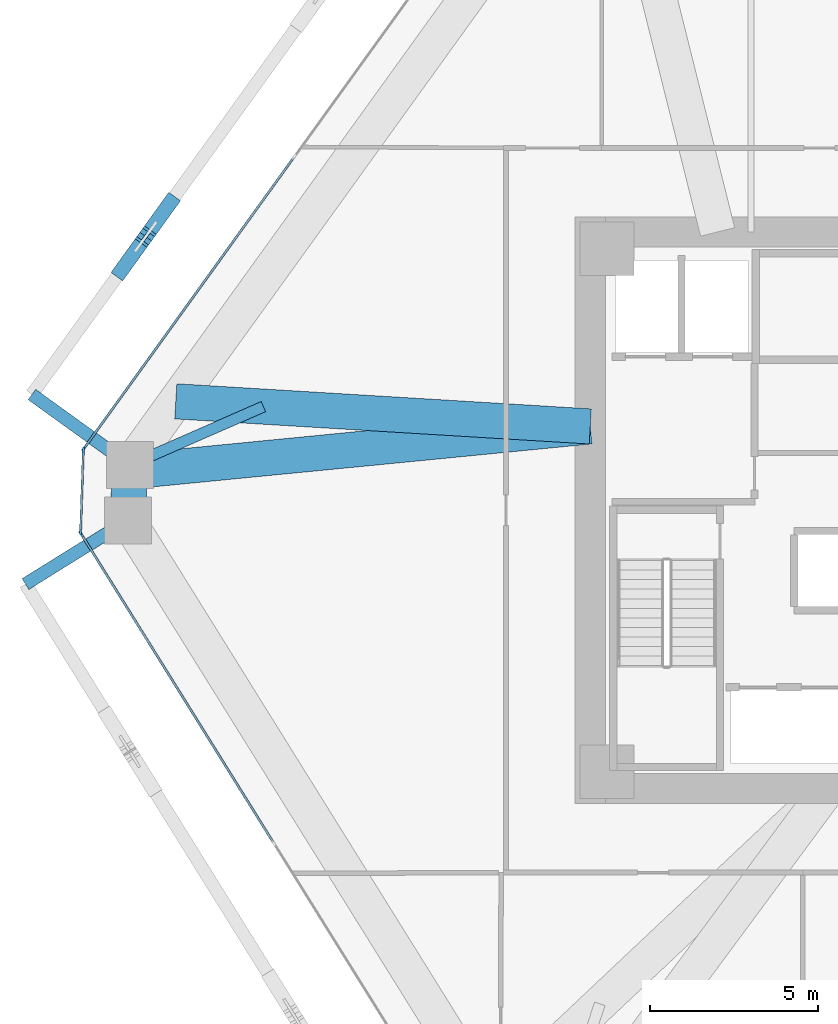
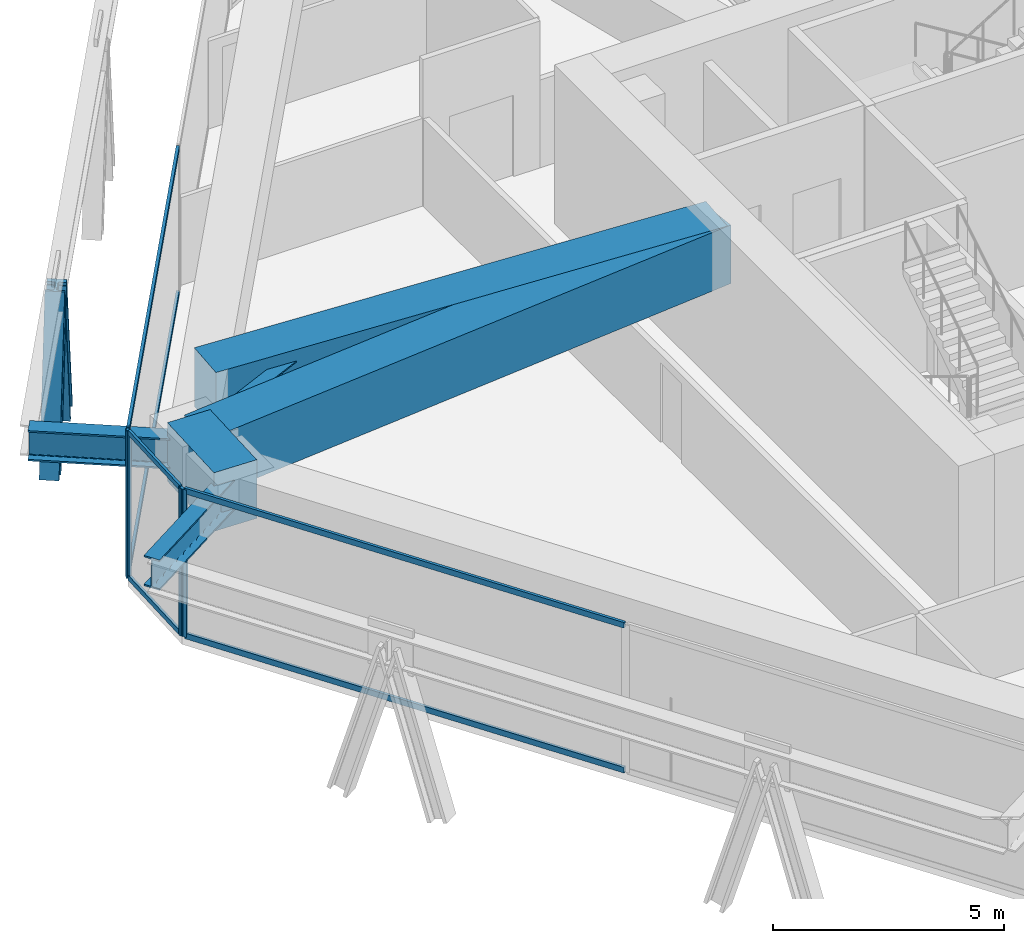
# One storey, part 4 of 16: 12 members, 6 beams, 3 elements without a shape of their own.
"""IFC4 building model written with IfcOpenShell, lengths in metres."""

from ifc_helpers import new_model, si_unit, direction, frame, origin, origin_2d, place, context, subcontext, project, spatial, rectangle, i_section, extrude, source, transform, mapped, material, layer, layer_set, material_profile, profile_set, type_object, type_shapes, element, aggregate, save


model = new_model("IFC4")

# Units and contexts
model_context = context("Model", 3, precision=1e-05, world=origin(), true_north=direction((0.0, 1.0)))
body_context = subcontext(model_context, "Body", "Model", "MODEL_VIEW")
ifc_project = project(units=[si_unit("LENGTHUNIT", "METRE"), si_unit("AREAUNIT", "SQUARE_METRE"), si_unit("VOLUMEUNIT", "CUBIC_METRE"), si_unit("PLANEANGLEUNIT", "RADIAN"), si_unit("MASSUNIT", "GRAM", prefix="KILO")], contexts=[model_context])

# Site, building, storey
site_placement = place(None, origin())
site = spatial("IfcSite", under=ifc_project, at=site_placement, CompositionType="ELEMENT")
building_placement = place(site_placement, origin())
building = spatial("IfcBuilding", under=site, at=building_placement, Name="Durnholm Broadcast Tower", CompositionType="ELEMENT")
storey_placement = place(building_placement, frame((0.0, 0.0, 84.300048828125)))
storey = spatial("IfcBuildingStorey", under=building, at=storey_placement, Name="L22", CompositionType="ELEMENT", Elevation=84.300048828125)

# Beams
ifc_material_1 = material(Name="Steel ASTM A992 Grade 50", Category="steel")
ifc_material_profile_1 = material_profile(ifc_material_1, i_section(OverallWidth=0.385009765625, OverallDepth=0.802978515625, WebThickness=0.023681640625, FlangeThickness=0.0419921875, FilletRadius=0.032958984375, at=origin_2d()), Name="W30X261")
ifc_profile_set_1 = profile_set([ifc_material_profile_1], Name="Steel ASTM A992 Grade 50")
beam_type_1 = type_object("IfcBeamType", Name="BM-EXO-TIE", PredefinedType="USERDEFINED", material=ifc_profile_set_1)
shared_shape_1 = source(origin(), body_context, "Body", "SweptSolid", [
    extrude(i_section(OverallWidth=0.385009765625, OverallDepth=0.802978515625, WebThickness=0.023681640625, FlangeThickness=0.0419921875, FilletRadius=0.032958984375, at=origin_2d()), origin(), (0.0, 0.0, 1.0), 3.4560546875),
])
beam_1_placement = place(storey_placement, frame((-24.212890625, -0.375732421875, 3.1484375), z_axis=(-0.848874183218, -0.528594949906, 0.0), x_axis=(0.528594949906, -0.848874183218, 0.0)))
element("IfcBeam", 1, at=beam_1_placement, inside=storey, type_object=beam_type_1, Name="L22 exoskeleton stand-off tie bracket F6.1", ObjectType="GIRDER", PredefinedType="USERDEFINED", context=body_context, shape_type="MappedRepresentation", body=[
    mapped(shared_shape_1, transform((0.0, 0.0, 0.0), x_axis=(1.0, 0.0, 0.0), y_axis=(0.0, 1.0, 0.0), z_axis=(0.0, 0.0, 1.0), scale=1.0)),
])
shared_shape_2 = source(origin(), body_context, "Body", "SweptSolid", [
    extrude(i_section(OverallWidth=0.385009765625, OverallDepth=0.802978515625, WebThickness=0.023681640625, FlangeThickness=0.0419921875, FilletRadius=0.032958984375, at=origin_2d()), origin(), (0.0, 0.0, 1.0), 3.455810546875),
])
type_shapes(beam_type_1, [shared_shape_1, shared_shape_2])
beam_2_placement = place(storey_placement, frame((-24.15185546875, 1.431396484375, 3.1484375), z_axis=(-0.811133512552, 0.584861030344, 0.0), x_axis=(-0.584861030344, -0.811133512552, 0.0)))
element("IfcBeam", 2, at=beam_2_placement, inside=storey, type_object=beam_type_1, Name="L22 exoskeleton stand-off tie bracket F5.2", ObjectType="GIRDER", PredefinedType="USERDEFINED", context=body_context, shape_type="MappedRepresentation", body=[
    mapped(shared_shape_2, transform((0.0, 0.0, 0.0), x_axis=(1.0, 0.0, 0.0), y_axis=(0.0, 1.0, 0.0), z_axis=(0.0, 0.0, 1.0), scale=1.0)),
])
ifc_material_2 = material(Name="Concrete C70/85", Category="concrete")
ifc_material_profile_2 = material_profile(ifc_material_2, rectangle(XDim=1.050048828125, YDim=1.550048828125, at=origin_2d()), Name="RC1050X1550")
ifc_profile_set_2 = profile_set([ifc_material_profile_2], Name="Concrete C70/85")
beam_type_2 = type_object("IfcBeamType", Name="BM-TG-RC1550", PredefinedType="USERDEFINED", material=ifc_profile_set_2)
shared_shape_3 = source(origin(), body_context, "Body", "SweptSolid", [
    extrude(rectangle(XDim=1.050048828125, YDim=1.550048828125, at=origin_2d()), origin(), (0.0, 0.0, 1.0), 2.14794921875),
])
beam_3_placement = place(storey_placement, frame((-24.099365234375, -0.549560546875, 3.125), z_axis=(0.03387114864, 0.999426208026, 0.0), x_axis=(-0.999426208026, 0.03387114864, 0.0)))
element("IfcBeam", 3, at=beam_3_placement, inside=storey, type_object=beam_type_2, Name="L22 perimeter transfer spandrel girder 02", PredefinedType="SPANDREL", context=body_context, shape_type="MappedRepresentation", body=[
    mapped(shared_shape_3, transform((0.0, 0.0, 0.0), x_axis=(1.0, 0.0, 0.0), y_axis=(0.0, 1.0, 0.0), z_axis=(0.0, 0.0, 1.0), scale=1.0)),
])
shared_shape_4 = source(origin(), body_context, "Body", "SweptSolid", [
    extrude(rectangle(XDim=1.050048828125, YDim=1.550048828125, at=origin_2d()), origin(), (0.0, 0.0, 1.0), 13.806884765625),
])
beam_4_placement = place(storey_placement, frame((-10.300048828125, 2.5, 3.125), z_axis=(-0.995252768875, -0.097323820554, 0.0), x_axis=(0.097323820554, -0.995252768875, 0.0)))
element("IfcBeam", 4, at=beam_4_placement, inside=storey, type_object=beam_type_2, Name="L22 radial setback transfer girder 02", ObjectType="GIRDER", PredefinedType="USERDEFINED", context=body_context, shape_type="MappedRepresentation", body=[
    mapped(shared_shape_4, transform((0.0, 0.0, 0.0), x_axis=(1.0, 0.0, 0.0), y_axis=(0.0, 1.0, 0.0), z_axis=(0.0, 0.0, 1.0), scale=1.0)),
])
shared_shape_5 = source(origin(), body_context, "Body", "SweptSolid", [
    extrude(rectangle(XDim=1.050048828125, YDim=1.550048828125, at=origin_2d()), origin(), (0.0, 0.0, 1.0), 12.38623046875),
])
type_shapes(beam_type_2, [shared_shape_3, shared_shape_4, shared_shape_5])
beam_5_placement = place(storey_placement, frame((-10.300048828125, 2.5, 3.125), z_axis=(-0.998167486614, 0.060511723384, 0.0), x_axis=(-0.060511723384, -0.998167486614, 0.0)))
element("IfcBeam", 5, at=beam_5_placement, inside=storey, type_object=beam_type_2, Name="L22 radial setback transfer girder 03", ObjectType="GIRDER", PredefinedType="USERDEFINED", context=body_context, shape_type="MappedRepresentation", body=[
    mapped(shared_shape_5, transform((0.0, 0.0, 0.0), x_axis=(1.0, 0.0, 0.0), y_axis=(0.0, 1.0, 0.0), z_axis=(0.0, 0.0, 1.0), scale=1.0)),
])
ifc_material_profile_3 = material_profile(ifc_material_1, i_section(OverallWidth=0.3291015625, OverallDepth=0.635009765625, WebThickness=0.017822265625, FlangeThickness=0.031005859375, FilletRadius=0.02783203125, at=origin_2d()), Name="W24X162")
ifc_profile_set_3 = profile_set([ifc_material_profile_3], Name="Steel ASTM A992 Grade 50")
beam_type_3 = type_object("IfcBeamType", Name="STL-SP-W24X162", PredefinedType="SPANDREL", material=ifc_profile_set_3)
shared_shape_6 = source(origin(), body_context, "Body", "SweptSolid", [
    extrude(i_section(OverallWidth=0.3291015625, OverallDepth=0.635009765625, WebThickness=0.017822265625, FlangeThickness=0.031005859375, FilletRadius=0.02783203125, at=origin_2d()), origin(), (0.0, 0.0, 1.0), 4.349609375),
])
type_shapes(beam_type_3, [shared_shape_6])
beam_6_placement = place(storey_placement, frame((-24.034912109375, 1.347412109375, 3.280029296875), z_axis=(0.916134145737, 0.400871833651, 0.0), x_axis=(-0.400871833651, 0.916134145737, 0.0)))
element("IfcBeam", 6, at=beam_6_placement, inside=storey, type_object=beam_type_3, Name="L22 perimeter column collector tie 03", ObjectType="GIRDER", PredefinedType="USERDEFINED", context=body_context, shape_type="MappedRepresentation", body=[
    mapped(shared_shape_6, transform((0.0, 0.0, 0.0), x_axis=(1.0, 0.0, 0.0), y_axis=(0.0, 1.0, 0.0), z_axis=(0.0, 0.0, 1.0), scale=1.0)),
])

# Members
ifc_material_3 = material(Name="Steel ASTM A913 Grade 65", Category="steel")
ifc_material_profile_4 = material_profile(ifc_material_3, i_section(OverallWidth=0.43212890625, OverallDepth=0.497802734375, WebThickness=0.0556640625, FlangeThickness=0.0888671875, FilletRadius=0.030517578125, at=origin_2d()), Name="W14X500")
ifc_profile_set_4 = profile_set([ifc_material_profile_4], Name="Steel ASTM A913 Grade 65")
member_type_1 = type_object("IfcMemberType", Name="STL-DG-W14X500", PredefinedType="BRACE", material=ifc_profile_set_4)
shared_shape_7 = source(origin(), body_context, "Body", "SweptSolid", [
    extrude(i_section(OverallWidth=0.43212890625, OverallDepth=0.497802734375, WebThickness=0.0556640625, FlangeThickness=0.0888671875, FilletRadius=0.030517578125, at=origin_2d()), origin(), (0.0, 0.0, 1.0), 4.31982421875),
])
type_shapes(member_type_1, [shared_shape_7])
for number, where, z_axis, x_axis, name in (
    (7, (-22.837890625, 9.163330078125, -0.991455078125), (-0.167061760729, -0.231659728426, 0.958344477903), (0.81109123444, -0.58491966065, 0.0), "L22 stand-off diagrid brace F5.D2.1"),
    (8, (-24.281005859375, 7.161865234375, -0.991455078125), (0.167006821139, 0.231661915346, 0.958353524891), (-0.811185111535, 0.584789461963, 0.0), "L22 stand-off diagrid brace F5.D2.2"),
):
    element("IfcMember", number, at=place(storey_placement, frame(where, z_axis=z_axis, x_axis=x_axis)), inside=storey, type_object=member_type_1, Name=name, PredefinedType="BRACE", context=body_context, shape_type="MappedRepresentation", body=[
        mapped(shared_shape_7, transform((0.0, 0.0, 0.0), x_axis=(1.0, 0.0, 0.0), y_axis=(0.0, 1.0, 0.0), z_axis=(0.0, 0.0, 1.0), scale=1.0)),
    ])

# Curtain wall, members
ifc_material_4 = material(Name="Aluminium and Solar Control IGU", Category="aluminium")
ifc_layer_1 = layer(ifc_material_4, 0.1650390625)
ifc_layer_set_1 = layer_set([ifc_layer_1], Name="Aluminium and Solar Control IGU")
curtain_wall_type_1 = type_object("IfcCurtainWallType", Name="CW-SYS-5", PredefinedType="NOTDEFINED", material=ifc_layer_set_1)
curtain_wall_1_placement = place(storey_placement, origin())
curtain_wall_1 = element("IfcCurtainWall", 9, at=curtain_wall_1_placement, inside=storey, type_object=curtain_wall_type_1, Name="L22 curtain wall CW-CORNER CW-L22-CRN-01", PredefinedType="NOTDEFINED")
ifc_material_5 = material(Name="Aluminium 6063-T6", Category="aluminium")
ifc_material_profile_5 = material_profile(ifc_material_5, rectangle(XDim=0.06494140625, YDim=0.1298828125, at=origin_2d()), Name="CWT65X130")
ifc_profile_set_5 = profile_set([ifc_material_profile_5], Name="Aluminium 6063-T6")
member_type_2 = type_object("IfcMemberType", Name="CW-SYS-5-TRN", PredefinedType="USERDEFINED", material=ifc_profile_set_5)
shared_shape_8 = source(origin(), body_context, "Body", "SweptSolid", [
    extrude(rectangle(XDim=0.06494140625, YDim=0.1298828125, at=origin_2d()), origin(), (0.0, 0.0, 1.0), 2.3701171875),
])
type_shapes(member_type_2, [shared_shape_8])
member_1_placement = place(storey_placement, frame((-25.502197265625, -0.613037109375, 0.032470703125), z_axis=(0.033788158898, 0.999429017148, 0.0), x_axis=(-0.999429017148, 0.033788158898, 0.0)))
member_1 = element("IfcMember", 10, at=member_1_placement, type_object=member_type_2, Name="CW-CORNER transom 1.1", ObjectType="TRANSOM", PredefinedType="USERDEFINED", context=body_context, shape_type="MappedRepresentation", body=[
    mapped(shared_shape_8, transform((0.0, 0.0, 0.0), x_axis=(1.0, 0.0, 0.0), y_axis=(0.0, 1.0, 0.0), z_axis=(0.0, 0.0, 1.0), scale=1.0)),
])
member_2_placement = place(storey_placement, frame((-25.502197265625, -0.613037109375, 3.867431640625), z_axis=(0.033788158898, 0.999429017148, 0.0), x_axis=(-0.999429017148, 0.033788158898, 0.0)))
member_2 = element("IfcMember", 11, at=member_2_placement, type_object=member_type_2, Name="CW-CORNER transom 1.2", ObjectType="TRANSOM", PredefinedType="USERDEFINED", context=body_context, shape_type="MappedRepresentation", body=[
    mapped(shared_shape_8, transform((0.0, 0.0, 0.0), x_axis=(1.0, 0.0, 0.0), y_axis=(0.0, 1.0, 0.0), z_axis=(0.0, 0.0, 1.0), scale=1.0)),
])

ifc_layer_2 = layer(ifc_material_4, 0.18994140625)
ifc_layer_set_2 = layer_set([ifc_layer_2], Name="Aluminium and Solar Control IGU")
curtain_wall_type_2 = type_object("IfcCurtainWallType", Name="CW-SYS-3", PredefinedType="NOTDEFINED", material=ifc_layer_set_2)
curtain_wall_2_placement = place(storey_placement, origin())
curtain_wall_2 = element("IfcCurtainWall", 12, at=curtain_wall_2_placement, inside=storey, type_object=curtain_wall_type_2, Name="L22 curtain wall CW-Z12-VIS CW-L22-F02", PredefinedType="NOTDEFINED")
ifc_material_profile_6 = material_profile(ifc_material_5, rectangle(XDim=0.070068359375, YDim=0.14990234375, at=origin_2d()), Name="CWT70X150")
ifc_profile_set_6 = profile_set([ifc_material_profile_6], Name="Aluminium 6063-T6")
member_type_3 = type_object("IfcMemberType", Name="CW-SYS-3-TRN", PredefinedType="USERDEFINED", material=ifc_profile_set_6)
shared_shape_9 = source(origin(), body_context, "Body", "SweptSolid", [
    extrude(rectangle(XDim=0.070068359375, YDim=0.14990234375, at=origin_2d()), origin(), (0.0, 0.0, 1.0), 10.6455078125),
])
member_3_placement = place(storey_placement, frame((-25.37890625, 1.877197265625, 0.034912109375), z_axis=(0.584812103659, 0.811168788486, 0.0), x_axis=(-0.811168788486, 0.584812103659, 0.0)))
member_3 = element("IfcMember", 13, at=member_3_placement, type_object=member_type_3, Name="CW-Z12-VIS transom 1.1", ObjectType="TRANSOM", PredefinedType="USERDEFINED", context=body_context, shape_type="MappedRepresentation", body=[
    mapped(shared_shape_9, transform((0.0, 0.0, 0.0), x_axis=(1.0, 0.0, 0.0), y_axis=(0.0, 1.0, 0.0), z_axis=(0.0, 0.0, 1.0), scale=1.0)),
])
member_4_placement = place(storey_placement, frame((-25.37890625, 1.877197265625, 3.864990234375), z_axis=(0.584812103659, 0.811168788486, 0.0), x_axis=(-0.811168788486, 0.584812103659, 0.0)))
member_4 = element("IfcMember", 14, at=member_4_placement, type_object=member_type_3, Name="CW-Z12-VIS transom 1.2", ObjectType="TRANSOM", PredefinedType="USERDEFINED", context=body_context, shape_type="MappedRepresentation", body=[
    mapped(shared_shape_9, transform((0.0, 0.0, 0.0), x_axis=(1.0, 0.0, 0.0), y_axis=(0.0, 1.0, 0.0), z_axis=(0.0, 0.0, 1.0), scale=1.0)),
])

curtain_wall_3_placement = place(storey_placement, origin())
curtain_wall_3 = element("IfcCurtainWall", 15, at=curtain_wall_3_placement, inside=storey, type_object=curtain_wall_type_2, Name="L22 curtain wall CW-Z12-VIS CW-L22-F12", PredefinedType="NOTDEFINED")
shared_shape_10 = source(origin(), body_context, "Body", "SweptSolid", [
    extrude(rectangle(XDim=0.070068359375, YDim=0.14990234375, at=origin_2d()), origin(), (0.0, 0.0, 1.0), 10.796630859375),
])
type_shapes(member_type_3, [shared_shape_9, shared_shape_10])
member_5_placement = place(storey_placement, frame((-19.760498046875, -9.902587890625, 0.034912109375), z_axis=(-0.528575362968, 0.848886379714, 0.0), x_axis=(-0.848886379714, -0.528575362968, 0.0)))
member_5 = element("IfcMember", 16, at=member_5_placement, type_object=member_type_3, Name="CW-Z12-VIS transom 2.1", ObjectType="TRANSOM", PredefinedType="USERDEFINED", context=body_context, shape_type="MappedRepresentation", body=[
    mapped(shared_shape_10, transform((0.0, 0.0, 0.0), x_axis=(1.0, 0.0, 0.0), y_axis=(0.0, 1.0, 0.0), z_axis=(0.0, 0.0, 1.0), scale=1.0)),
])
member_6_placement = place(storey_placement, frame((-19.760498046875, -9.902587890625, 3.864990234375), z_axis=(-0.528575362968, 0.848886379714, 0.0), x_axis=(-0.848886379714, -0.528575362968, 0.0)))
member_6 = element("IfcMember", 17, at=member_6_placement, type_object=member_type_3, Name="CW-Z12-VIS transom 2.2", ObjectType="TRANSOM", PredefinedType="USERDEFINED", context=body_context, shape_type="MappedRepresentation", body=[
    mapped(shared_shape_10, transform((0.0, 0.0, 0.0), x_axis=(1.0, 0.0, 0.0), y_axis=(0.0, 1.0, 0.0), z_axis=(0.0, 0.0, 1.0), scale=1.0)),
])

# Member
ifc_material_profile_7 = material_profile(ifc_material_5, rectangle(XDim=0.06494140625, YDim=0.1650390625, at=origin_2d()), Name="CWM65X165")
ifc_profile_set_7 = profile_set([ifc_material_profile_7], Name="Aluminium 6063-T6")
member_type_4 = type_object("IfcMemberType", Name="CW-SYS-5-MUL", PredefinedType="MULLION", material=ifc_profile_set_7)
shared_shape_11 = source(origin(), body_context, "Body", "SweptSolid", [
    extrude(rectangle(XDim=0.06494140625, YDim=0.1650390625, at=origin_2d()), origin(), (0.0, 0.0, 1.0), 3.89990234375),
])
type_shapes(member_type_4, [shared_shape_11])
member_7_placement = place(storey_placement, frame((-25.50341796875, -0.6455078125, 0.0), z_axis=(0.0, 0.0, 1.0), x_axis=(-0.999427277772, 0.033839569233, 0.0)))
member_7 = element("IfcMember", 18, at=member_7_placement, type_object=member_type_4, Name="CW-CORNER mullion 1", PredefinedType="MULLION", context=body_context, shape_type="MappedRepresentation", body=[
    mapped(shared_shape_11, transform((0.0, 0.0, 0.0), x_axis=(1.0, 0.0, 0.0), y_axis=(0.0, 1.0, 0.0), z_axis=(0.0, 0.0, 1.0), scale=1.0)),
])

member_8_placement = place(storey_placement, frame((-25.4208984375, 1.7880859375, 0.0), z_axis=(0.0, 0.0, 1.0), x_axis=(-0.999427277772, 0.033839569233, 0.0)))
member_8 = element("IfcMember", 19, at=member_8_placement, type_object=member_type_4, Name="CW-CORNER mullion 2", PredefinedType="MULLION", context=body_context, shape_type="MappedRepresentation", body=[
    mapped(shared_shape_11, transform((0.0, 0.0, 0.0), x_axis=(1.0, 0.0, 0.0), y_axis=(0.0, 1.0, 0.0), z_axis=(0.0, 0.0, 1.0), scale=1.0)),
])

aggregate(curtain_wall_1, [member_7, member_8, member_1, member_2])

ifc_material_profile_8 = material_profile(ifc_material_5, rectangle(XDim=0.070068359375, YDim=0.18994140625, at=origin_2d()), Name="CWM70X190")
ifc_profile_set_8 = profile_set([ifc_material_profile_8], Name="Aluminium 6063-T6")
member_type_5 = type_object("IfcMemberType", Name="CW-SYS-3-MUL", PredefinedType="MULLION", material=ifc_profile_set_8)
shared_shape_12 = source(origin(), body_context, "Body", "SweptSolid", [
    extrude(rectangle(XDim=0.070068359375, YDim=0.18994140625, at=origin_2d()), origin(), (0.0, 0.0, 1.0), 3.89990234375),
])
type_shapes(member_type_5, [shared_shape_12])
member_9_placement = place(storey_placement, frame((-25.3994140625, 1.848876953125, 0.0), z_axis=(0.0, 0.0, 1.0), x_axis=(-0.81116057493, 0.584823496176, 0.0)))
member_9 = element("IfcMember", 20, at=member_9_placement, type_object=member_type_5, Name="CW-Z12-VIS mullion 1", PredefinedType="MULLION", context=body_context, shape_type="MappedRepresentation", body=[
    mapped(shared_shape_12, transform((0.0, 0.0, 0.0), x_axis=(1.0, 0.0, 0.0), y_axis=(0.0, 1.0, 0.0), z_axis=(0.0, 0.0, 1.0), scale=1.0)),
])

aggregate(curtain_wall_2, [member_9, member_3, member_4])

member_10_placement = place(storey_placement, frame((-25.48583984375, -0.707763671875, 0.0), z_axis=(0.0, 0.0, 1.0), x_axis=(-0.848875785503, -0.528592376777, 0.0)))
member_10 = element("IfcMember", 21, at=member_10_placement, type_object=member_type_5, Name="CW-Z12-VIS mullion 3", PredefinedType="MULLION", context=body_context, shape_type="MappedRepresentation", body=[
    mapped(shared_shape_12, transform((0.0, 0.0, 0.0), x_axis=(1.0, 0.0, 0.0), y_axis=(0.0, 1.0, 0.0), z_axis=(0.0, 0.0, 1.0), scale=1.0)),
])

aggregate(curtain_wall_3, [member_10, member_5, member_6])

save(model, "model.ifc")
